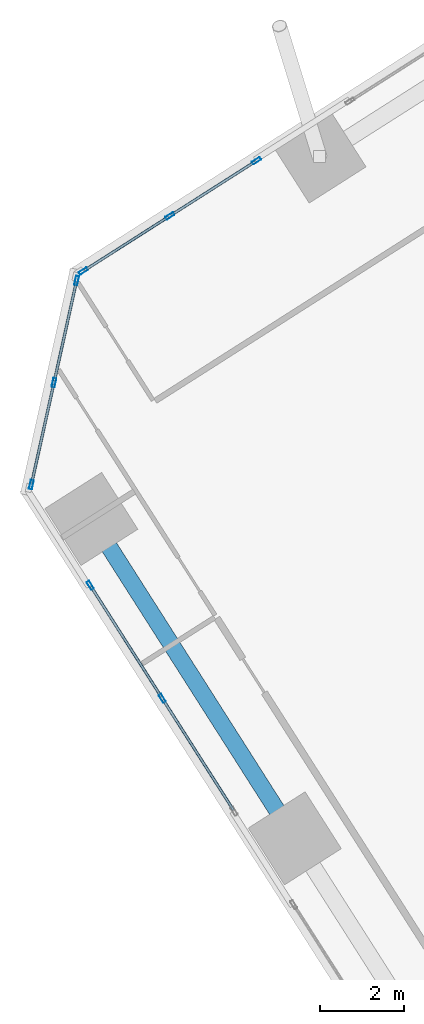
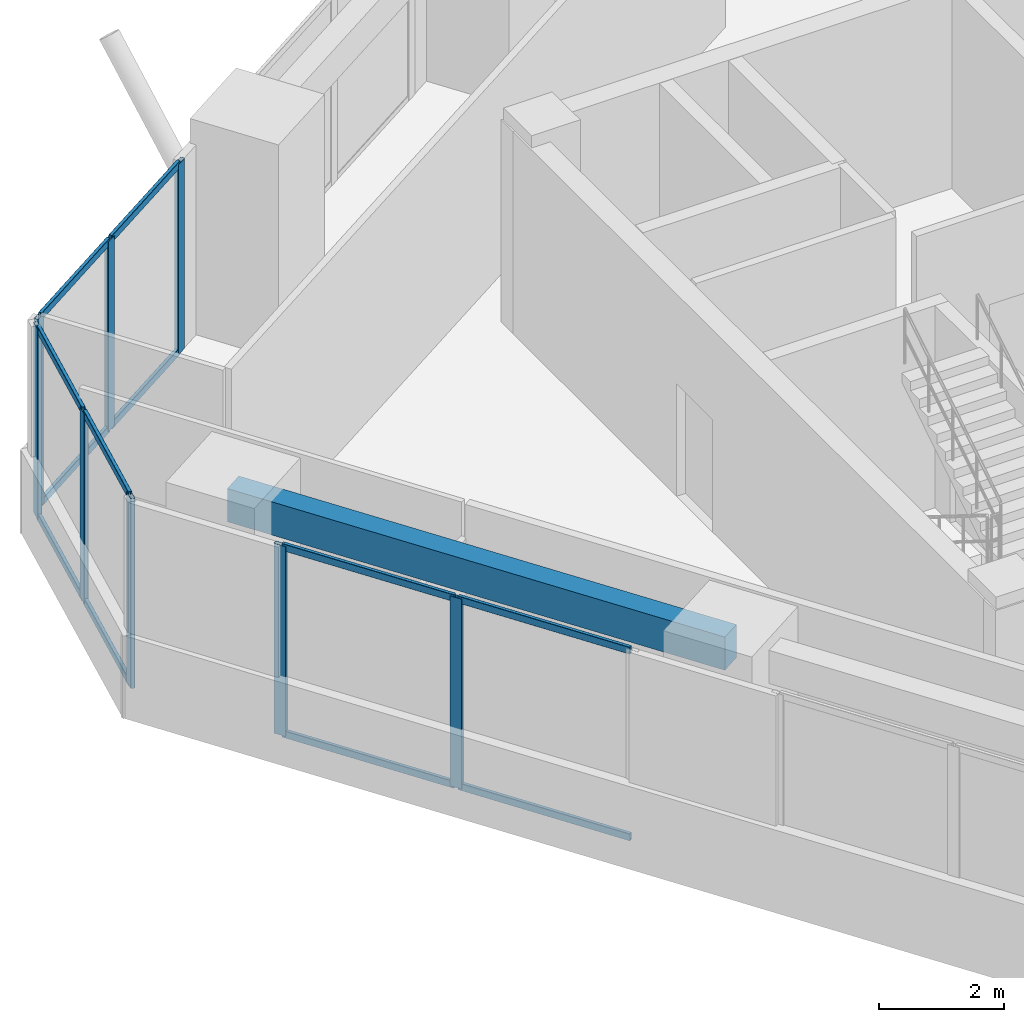
# One storey, part 4 of 14: 20 members, 1 beam, 3 elements without a shape of their own.
"""IFC4 building model written with IfcOpenShell, lengths in metres."""

from ifc_helpers import new_model, si_unit, direction, frame, origin, origin_2d, place, context, subcontext, project, spatial, rectangle, hollow_rectangle, extrude, source, transform, mapped, material, material_profile, profile_set, type_object, element, aggregate, save


model = new_model("IFC4")

# Units and contexts
model_context = context("Model", 3, precision=1e-05, world=origin(), true_north=direction((0.0, 1.0)))
body_context = subcontext(model_context, "Body", "Model", "MODEL_VIEW")
ifc_project = project(units=[si_unit("LENGTHUNIT", "METRE"), si_unit("AREAUNIT", "SQUARE_METRE"), si_unit("VOLUMEUNIT", "CUBIC_METRE"), si_unit("PLANEANGLEUNIT", "RADIAN"), si_unit("MASSUNIT", "GRAM", prefix="KILO")], contexts=[model_context])

# Site, building, storey
site_placement = place(None, origin())
site = spatial("IfcSite", under=ifc_project, at=site_placement, CompositionType="ELEMENT")
building_placement = place(site_placement, origin())
building = spatial("IfcBuilding", under=site, at=building_placement, Name="Torre Montelarca", CompositionType="ELEMENT")
storey_placement = place(building_placement, frame((0.0, 0.0, 315.60009765625)))
storey = spatial("IfcBuildingStorey", under=building, at=storey_placement, Name="L71", CompositionType="ELEMENT", Elevation=315.60009765625)

# Beam
ifc_material_1 = material(Name="Concrete C40/50", Category="concrete")
ifc_material_profile_1 = material_profile(ifc_material_1, rectangle(XDim=0.39990234375, YDim=0.64990234375, at=origin_2d()), Name="RCB400X650", Category="concrete")
ifc_profile_set_1 = profile_set([ifc_material_profile_1], Name="Concrete C40/50")
beam_type = type_object("IfcBeamType", Name="BM-SP-RC650-EXT", PredefinedType="SPANDREL", material=ifc_profile_set_1)
shared_shape_1 = source(origin(), body_context, "Body", "SweptSolid", [
    extrude(rectangle(XDim=0.39990234375, YDim=0.64990234375, at=origin_2d()), origin(), (0.0, 0.0, 1.0), 9.0),
])
beam_placement = place(storey_placement, frame((0.27734375, 33.30078125, 3.635009765625), z_axis=(0.5372966855, -0.843393307865, 0.0), x_axis=(0.843393307865, 0.5372966855, 0.0)))
element("IfcBeam", 1, at=beam_placement, inside=storey, type_object=beam_type, Name="L71 Grid Girder X 9.0-18.0 at Y=14.8", PredefinedType="SPANDREL", context=body_context, shape_type="MappedRepresentation", body=[
    mapped(shared_shape_1, transform((0.0, 0.0, 0.0), scale=1.0)),
])

# Curtain wall, members
ifc_material_2 = material(Name="Insulated low-E laminated glass", Category="glass")
curtain_wall_type = type_object("IfcCurtainWallType", Name="CW-SYS-Z4", PredefinedType="USERDEFINED", material=ifc_material_2)
curtain_wall_1_placement = place(storey_placement, origin())
curtain_wall_1 = element("IfcCurtainWall", 2, at=curtain_wall_1_placement, inside=storey, type_object=curtain_wall_type, Name="L71 Curtain Wall Run CW-T3-L71-E01-B1", ObjectType="UNITISED GLAZING", PredefinedType="USERDEFINED")
ifc_material_3 = material(Name="Anodised aluminium AA 6063-T6", Category="aluminium")
ifc_material_profile_2 = material_profile(ifc_material_3, hollow_rectangle(XDim=0.074951171875, YDim=0.219970703125, WallThickness=0.0048828125, InnerFilletRadius=0.0048828125, OuterFilletRadius=0.010009765625, at=origin_2d()), Name="ALU75X220X5", Category="aluminium")
ifc_profile_set_2 = profile_set([ifc_material_profile_2], Name="Anodised aluminium AA 6063-T6")
member_type_1 = type_object("IfcMemberType", Name="CWM-ALU220", PredefinedType="MULLION", material=ifc_profile_set_2)
shared_shape_2 = source(origin(), body_context, "Body", "SweptSolid", [
    extrude(hollow_rectangle(XDim=0.074951171875, YDim=0.219970703125, WallThickness=0.0048828125, InnerFilletRadius=0.0048828125, OuterFilletRadius=0.010009765625, at=origin_2d()), origin(), (0.0, 0.0, 1.0), 3.719970703125),
])
member_1_placement = place(storey_placement, frame((0.25146484375, 31.72216796875, 0.0), z_axis=(0.0, 0.0, 1.0), x_axis=(0.843390278763, 0.537301440244, 0.0)))
member_1 = element("IfcMember", 3, at=member_1_placement, type_object=member_type_1, Name="CW mullion 1", PredefinedType="MULLION", context=body_context, shape_type="MappedRepresentation", body=[
    mapped(shared_shape_2, transform((0.0, 0.0, 0.0), scale=1.0)),
])
member_2_placement = place(storey_placement, frame((1.96142578125, 29.0380859375, 0.0), z_axis=(0.0, 0.0, 1.0), x_axis=(0.843390278763, 0.537301440244, 0.0)))
member_2 = element("IfcMember", 4, at=member_2_placement, type_object=member_type_1, Name="CW mullion 2", PredefinedType="MULLION", context=body_context, shape_type="MappedRepresentation", body=[
    mapped(shared_shape_2, transform((0.0, 0.0, 0.0), scale=1.0)),
])

curtain_wall_2_placement = place(storey_placement, origin())
curtain_wall_2 = element("IfcCurtainWall", 5, at=curtain_wall_2_placement, inside=storey, type_object=curtain_wall_type, Name="L71 Curtain Wall Run CW-T3-L71-E10-B3", ObjectType="UNITISED GLAZING", PredefinedType="USERDEFINED")
member_3_placement = place(storey_placement, frame((4.201416015625, 41.81201171875, 0.0), z_axis=(0.0, 0.0, 1.0), x_axis=(0.537303819367, -0.843388763083, 0.0)))
member_3 = element("IfcMember", 6, at=member_3_placement, type_object=member_type_1, Name="CW mullion 1", PredefinedType="MULLION", context=body_context, shape_type="MappedRepresentation", body=[
    mapped(shared_shape_2, transform((0.0, 0.0, 0.0), scale=1.0)),
])
member_4_placement = place(storey_placement, frame((2.143798828125, 40.501220703125, 0.0), z_axis=(0.0, 0.0, 1.0), x_axis=(0.537303819367, -0.843388763083, 0.0)))
member_4 = element("IfcMember", 7, at=member_4_placement, type_object=member_type_1, Name="CW mullion 2", PredefinedType="MULLION", context=body_context, shape_type="MappedRepresentation", body=[
    mapped(shared_shape_2, transform((0.0, 0.0, 0.0), scale=1.0)),
])
member_5_placement = place(storey_placement, frame((0.08642578125, 39.1904296875, 0.0), z_axis=(0.0, 0.0, 1.0), x_axis=(0.537303819367, -0.843388763083, 0.0)))
member_5 = element("IfcMember", 8, at=member_5_placement, type_object=member_type_1, Name="CW mullion 3", PredefinedType="MULLION", context=body_context, shape_type="MappedRepresentation", body=[
    mapped(shared_shape_2, transform((0.0, 0.0, 0.0), scale=1.0)),
])

curtain_wall_3_placement = place(storey_placement, origin())
curtain_wall_3 = element("IfcCurtainWall", 9, at=curtain_wall_3_placement, inside=storey, type_object=curtain_wall_type, Name="L71 Curtain Wall Run CW-T3-L71-E11-B1", ObjectType="UNITISED GLAZING", PredefinedType="USERDEFINED")
member_6_placement = place(storey_placement, frame((-0.072021484375, 38.96435546875, 0.0), z_axis=(0.0, 0.0, 1.0), x_axis=(0.976291005572, -0.216462173228, 0.0)))
member_6 = element("IfcMember", 10, at=member_6_placement, type_object=member_type_1, Name="CW mullion 1", PredefinedType="MULLION", context=body_context, shape_type="MappedRepresentation", body=[
    mapped(shared_shape_2, transform((0.0, 0.0, 0.0), scale=1.0)),
])
member_7_placement = place(storey_placement, frame((-0.609619140625, 36.53955078125, 0.0), z_axis=(0.0, 0.0, 1.0), x_axis=(0.976291005572, -0.216462173228, 0.0)))
member_7 = element("IfcMember", 11, at=member_7_placement, type_object=member_type_1, Name="CW mullion 2", PredefinedType="MULLION", context=body_context, shape_type="MappedRepresentation", body=[
    mapped(shared_shape_2, transform((0.0, 0.0, 0.0), scale=1.0)),
])
member_8_placement = place(storey_placement, frame((-1.147216796875, 34.114501953125, 0.0), z_axis=(0.0, 0.0, 1.0), x_axis=(0.976291005572, -0.216462173228, 0.0)))
member_8 = element("IfcMember", 12, at=member_8_placement, type_object=member_type_1, Name="CW mullion 3", PredefinedType="MULLION", context=body_context, shape_type="MappedRepresentation", body=[
    mapped(shared_shape_2, transform((0.0, 0.0, 0.0), scale=1.0)),
])
ifc_material_profile_3 = material_profile(ifc_material_3, hollow_rectangle(XDim=0.06494140625, YDim=0.139892578125, WallThickness=0.00390625, InnerFilletRadius=0.00390625, OuterFilletRadius=0.008056640625, at=origin_2d()), Name="ALU65X140X4", Category="aluminium")
ifc_profile_set_3 = profile_set([ifc_material_profile_3], Name="Anodised aluminium AA 6063-T6")
member_type_2 = type_object("IfcMemberType", Name="CWT-ALU140", PredefinedType="USERDEFINED", material=ifc_profile_set_3)
shared_shape_3 = source(origin(), body_context, "Body", "SweptSolid", [
    extrude(hollow_rectangle(XDim=0.06494140625, YDim=0.139892578125, WallThickness=0.00390625, InnerFilletRadius=0.00390625, OuterFilletRadius=0.008056640625, at=origin_2d()), origin(), (0.0, 0.0, 1.0), 2.40869140625),
])
member_9_placement = place(storey_placement, frame((-0.080078125, 38.927734375, 0.032470703125), z_axis=(-0.216501154976, -0.976282361765, 0.0), x_axis=(0.976282361765, -0.216501154976, 0.0)))
member_9 = element("IfcMember", 13, at=member_9_placement, type_object=member_type_2, Name="CW transom 1.1", ObjectType="TRANSOM", PredefinedType="USERDEFINED", context=body_context, shape_type="MappedRepresentation", body=[
    mapped(shared_shape_3, transform((0.0, 0.0, 0.0), scale=1.0)),
])
member_10_placement = place(storey_placement, frame((-0.080078125, 38.927734375, 3.6875), z_axis=(-0.216501154976, -0.976282361765, 0.0), x_axis=(0.976282361765, -0.216501154976, 0.0)))
member_10 = element("IfcMember", 14, at=member_10_placement, type_object=member_type_2, Name="CW transom 1.2", ObjectType="TRANSOM", PredefinedType="USERDEFINED", context=body_context, shape_type="MappedRepresentation", body=[
    mapped(shared_shape_3, transform((0.0, 0.0, 0.0), scale=1.0)),
])

# Member
shared_shape_4 = source(origin(), body_context, "Body", "SweptSolid", [
    extrude(hollow_rectangle(XDim=0.06494140625, YDim=0.139892578125, WallThickness=0.00390625, InnerFilletRadius=0.00390625, OuterFilletRadius=0.008056640625, at=origin_2d()), origin(), (0.0, 0.0, 1.0), 3.107421875),
])
member_11_placement = place(storey_placement, frame((0.271728515625, 31.6904296875, 0.032470703125), z_axis=(0.537338048241, -0.843366955668, 0.0), x_axis=(0.843366955668, 0.537338048241, 0.0)))
member_11 = element("IfcMember", 15, at=member_11_placement, type_object=member_type_2, Name="CW transom 1.1", ObjectType="TRANSOM", PredefinedType="USERDEFINED", context=body_context, shape_type="MappedRepresentation", body=[
    mapped(shared_shape_4, transform((0.0, 0.0, 0.0), scale=1.0)),
])

member_12_placement = place(storey_placement, frame((0.271728515625, 31.6904296875, 3.6875), z_axis=(0.537338048241, -0.843366955668, 0.0), x_axis=(0.843366955668, 0.537338048241, 0.0)))
member_12 = element("IfcMember", 16, at=member_12_placement, type_object=member_type_2, Name="CW transom 1.2", ObjectType="TRANSOM", PredefinedType="USERDEFINED", context=body_context, shape_type="MappedRepresentation", body=[
    mapped(shared_shape_4, transform((0.0, 0.0, 0.0), scale=1.0)),
])

member_13_placement = place(storey_placement, frame((1.981689453125, 29.006591796875, 0.032470703125), z_axis=(0.537302444451, -0.843389639009, 0.0), x_axis=(0.843389639009, 0.537302444451, 0.0)))
member_13 = element("IfcMember", 17, at=member_13_placement, type_object=member_type_2, Name="CW transom 2.1", ObjectType="TRANSOM", PredefinedType="USERDEFINED", context=body_context, shape_type="MappedRepresentation", body=[
    mapped(shared_shape_4, transform((0.0, 0.0, 0.0), scale=1.0)),
])

member_14_placement = place(storey_placement, frame((1.981689453125, 29.006591796875, 3.6875), z_axis=(0.537302444451, -0.843389639009, 0.0), x_axis=(0.843389639009, 0.537302444451, 0.0)))
member_14 = element("IfcMember", 18, at=member_14_placement, type_object=member_type_2, Name="CW transom 2.2", ObjectType="TRANSOM", PredefinedType="USERDEFINED", context=body_context, shape_type="MappedRepresentation", body=[
    mapped(shared_shape_4, transform((0.0, 0.0, 0.0), scale=1.0)),
])

aggregate(curtain_wall_1, [member_1, member_2, member_11, member_12, member_13, member_14])

shared_shape_5 = source(origin(), body_context, "Body", "SweptSolid", [
    extrude(hollow_rectangle(XDim=0.06494140625, YDim=0.139892578125, WallThickness=0.00390625, InnerFilletRadius=0.00390625, OuterFilletRadius=0.008056640625, at=origin_2d()), origin(), (0.0, 0.0, 1.0), 2.408935546875),
])
member_15_placement = place(storey_placement, frame((-0.61767578125, 36.5029296875, 0.032470703125), z_axis=(-0.216479733336, -0.976287111999, 0.0), x_axis=(0.976287111999, -0.216479733336, 0.0)))
member_15 = element("IfcMember", 19, at=member_15_placement, type_object=member_type_2, Name="CW transom 2.1", ObjectType="TRANSOM", PredefinedType="USERDEFINED", context=body_context, shape_type="MappedRepresentation", body=[
    mapped(shared_shape_5, transform((0.0, 0.0, 0.0), scale=1.0)),
])

member_16_placement = place(storey_placement, frame((-0.61767578125, 36.5029296875, 3.6875), z_axis=(-0.216479733336, -0.976287111999, 0.0), x_axis=(0.976287111999, -0.216479733336, 0.0)))
member_16 = element("IfcMember", 20, at=member_16_placement, type_object=member_type_2, Name="CW transom 2.2", ObjectType="TRANSOM", PredefinedType="USERDEFINED", context=body_context, shape_type="MappedRepresentation", body=[
    mapped(shared_shape_5, transform((0.0, 0.0, 0.0), scale=1.0)),
])

aggregate(curtain_wall_3, [member_6, member_7, member_8, member_9, member_10, member_15, member_16])

shared_shape_6 = source(origin(), body_context, "Body", "SweptSolid", [
    extrude(hollow_rectangle(XDim=0.06494140625, YDim=0.139892578125, WallThickness=0.00390625, InnerFilletRadius=0.00390625, OuterFilletRadius=0.008056640625, at=origin_2d()), origin(), (0.0, 0.0, 1.0), 2.364501953125),
])
member_17_placement = place(storey_placement, frame((4.169677734375, 41.7919921875, 0.032470703125), z_axis=(-0.843372256407, -0.537329728494, 0.0), x_axis=(0.537329728494, -0.843372256407, 0.0)))
member_17 = element("IfcMember", 21, at=member_17_placement, type_object=member_type_2, Name="CW transom 1.1", ObjectType="TRANSOM", PredefinedType="USERDEFINED", context=body_context, shape_type="MappedRepresentation", body=[
    mapped(shared_shape_6, transform((0.0, 0.0, 0.0), scale=1.0)),
])

member_18_placement = place(storey_placement, frame((4.169677734375, 41.7919921875, 3.6875), z_axis=(-0.843372256407, -0.537329728494, 0.0), x_axis=(0.537329728494, -0.843372256407, 0.0)))
member_18 = element("IfcMember", 22, at=member_18_placement, type_object=member_type_2, Name="CW transom 1.2", ObjectType="TRANSOM", PredefinedType="USERDEFINED", context=body_context, shape_type="MappedRepresentation", body=[
    mapped(shared_shape_6, transform((0.0, 0.0, 0.0), scale=1.0)),
])

shared_shape_7 = source(origin(), body_context, "Body", "SweptSolid", [
    extrude(hollow_rectangle(XDim=0.06494140625, YDim=0.139892578125, WallThickness=0.00390625, InnerFilletRadius=0.00390625, OuterFilletRadius=0.008056640625, at=origin_2d()), origin(), (0.0, 0.0, 1.0), 2.36474609375),
])
member_19_placement = place(storey_placement, frame((2.1123046875, 40.481201171875, 0.032470703125), z_axis=(-0.843402064115, -0.537282940587, 0.0), x_axis=(0.537282940587, -0.843402064115, 0.0)))
member_19 = element("IfcMember", 23, at=member_19_placement, type_object=member_type_2, Name="CW transom 2.1", ObjectType="TRANSOM", PredefinedType="USERDEFINED", context=body_context, shape_type="MappedRepresentation", body=[
    mapped(shared_shape_7, transform((0.0, 0.0, 0.0), scale=1.0)),
])

member_20_placement = place(storey_placement, frame((2.1123046875, 40.481201171875, 3.6875), z_axis=(-0.843402064115, -0.537282940587, 0.0), x_axis=(0.537282940587, -0.843402064115, 0.0)))
member_20 = element("IfcMember", 24, at=member_20_placement, type_object=member_type_2, Name="CW transom 2.2", ObjectType="TRANSOM", PredefinedType="USERDEFINED", context=body_context, shape_type="MappedRepresentation", body=[
    mapped(shared_shape_7, transform((0.0, 0.0, 0.0), scale=1.0)),
])

aggregate(curtain_wall_2, [member_3, member_4, member_5, member_17, member_18, member_19, member_20])

save(model, "model.ifc")
